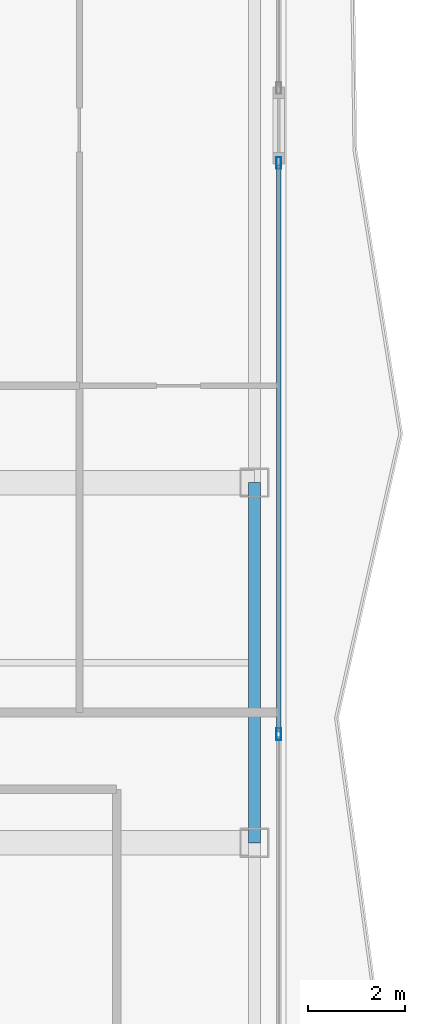
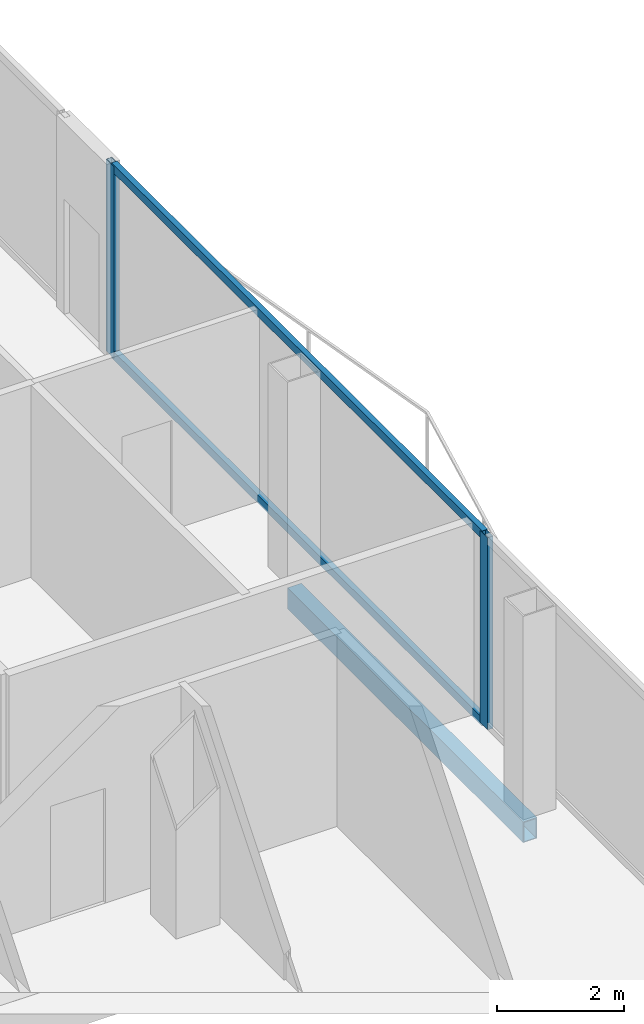
# One storey, part 11 of 26: 4 members, 1 beam, 1 element without a shape of its own.
"""IFC4 building model written with IfcOpenShell, lengths in metres."""

from ifc_helpers import new_model, si_unit, direction, frame, origin, origin_2d, place, context, subcontext, project, spatial, hollow_rectangle, extrude, material, layer, layer_set, material_profile, profile_set, type_object, element, aggregate, save


model = new_model("IFC4")

# Units and contexts
model_context = context("Model", 3, precision=1e-05, world=origin(), true_north=direction((0.0, 1.0)))
body_context = subcontext(model_context, "Body", "Model", "MODEL_VIEW")
ifc_project = project(units=[si_unit("LENGTHUNIT", "METRE"), si_unit("AREAUNIT", "SQUARE_METRE"), si_unit("VOLUMEUNIT", "CUBIC_METRE"), si_unit("PLANEANGLEUNIT", "RADIAN"), si_unit("MASSUNIT", "GRAM", prefix="KILO")], contexts=[model_context])

# Site, building, storey
site_placement = place(None, origin())
site = spatial("IfcSite", under=ifc_project, at=site_placement, CompositionType="ELEMENT")
building_placement = place(site_placement, origin())
building = spatial("IfcBuilding", under=site, at=building_placement, Name="Khorvyn Point Tower", CompositionType="ELEMENT")
storey_placement = place(building_placement, frame((0.0, 0.0, 219.60009765625)))
storey = spatial("IfcBuildingStorey", under=building, at=storey_placement, Name="L54", CompositionType="ELEMENT", Elevation=219.60009765625)

# Curtain wall, members
ifc_material_1 = material(Name="Anodised aluminium 6063-T6 and laminated Low-E glass", Category="aluminium")
ifc_layer = layer(ifc_material_1, 0.18994140625)
ifc_layer_set = layer_set([ifc_layer], Name="Stick-Built Acoustic Curtain Wall CW-SYS-03")
curtain_wall_type = type_object("IfcCurtainWallType", Name="Stick-Built Acoustic Curtain Wall CW-SYS-03", PredefinedType="NOTDEFINED", material=ifc_layer_set)
curtain_wall_placement = place(storey_placement, origin())
curtain_wall = element("IfcCurtainWall", 1, at=curtain_wall_placement, inside=storey, type_object=curtain_wall_type, Name="Curtain Wall", PredefinedType="NOTDEFINED")
ifc_material_2 = material(Name="Anodised aluminium 6063-T6", Category="aluminium")
ifc_material_profile_1 = material_profile(ifc_material_2, hollow_rectangle(XDim=0.10009765625, YDim=0.239990234375, WallThickness=0.0048828125, at=origin_2d()))
ifc_profile_set_1 = profile_set([ifc_material_profile_1], Name="Anodised aluminium 6063-T6 ALU-MUL-100x240")
member_type_1 = type_object("IfcMemberType", Name="Anodised Aluminium 6063-T6 Mullion ALU-MUL-100x240", PredefinedType="MULLION", material=ifc_profile_set_1)
member_1_placement = place(storey_placement, frame((26.14990234375, -0.8349609375, 0.0), z_axis=(0.0, 0.0, 1.0), x_axis=(1.0, 0.0, 0.0)))
member_1 = element("IfcMember", 2, at=member_1_placement, type_object=member_type_1, Name="Transom", PredefinedType="MULLION", context=body_context, shape_type="SweptSolid", body=[
    extrude(hollow_rectangle(XDim=0.10009765625, YDim=0.239990234375, WallThickness=0.0048828125, at=origin_2d()), origin(), (0.0, 0.0, 1.0), 3.679931640625),
])
member_2_placement = place(storey_placement, frame((26.14990234375, -12.5673828125, 0.0), z_axis=(0.0, 0.0, 1.0), x_axis=(1.0, 0.0, 0.0)))
member_2 = element("IfcMember", 3, at=member_2_placement, type_object=member_type_1, Name="Transom", PredefinedType="MULLION", context=body_context, shape_type="SweptSolid", body=[
    extrude(hollow_rectangle(XDim=0.10009765625, YDim=0.239990234375, WallThickness=0.0048828125, at=origin_2d()), origin(), (0.0, 0.0, 1.0), 3.679931640625),
])
ifc_material_profile_2 = material_profile(ifc_material_2, hollow_rectangle(XDim=0.10009765625, YDim=0.159912109375, WallThickness=0.00439453125, at=origin_2d()))
ifc_profile_set_2 = profile_set([ifc_material_profile_2], Name="Anodised aluminium 6063-T6 ALU-TRN-100x160")
member_type_2 = type_object("IfcMemberType", Name="Anodised Aluminium 6063-T6 Transom ALU-TRN-100x160", PredefinedType="USERDEFINED", material=ifc_profile_set_2)
member_3_placement = place(storey_placement, frame((26.14990234375, -0.885009765625, 0.0498046875), z_axis=(0.0, -1.0, 0.0), x_axis=(1.0, 0.0, 0.0)))
member_3 = element("IfcMember", 4, at=member_3_placement, type_object=member_type_2, Name="Transom", ObjectType="TRANSOM", PredefinedType="USERDEFINED", context=body_context, shape_type="SweptSolid", body=[
    extrude(hollow_rectangle(XDim=0.10009765625, YDim=0.159912109375, WallThickness=0.00439453125, at=origin_2d()), origin(), (0.0, 0.0, 1.0), 11.632568359375),
])
member_4_placement = place(storey_placement, frame((26.14990234375, -0.885009765625, 3.6298828125), z_axis=(0.0, -1.0, 0.0), x_axis=(1.0, 0.0, 0.0)))
member_4 = element("IfcMember", 5, at=member_4_placement, type_object=member_type_2, Name="Transom", ObjectType="TRANSOM", PredefinedType="USERDEFINED", context=body_context, shape_type="SweptSolid", body=[
    extrude(hollow_rectangle(XDim=0.10009765625, YDim=0.159912109375, WallThickness=0.00439453125, at=origin_2d()), origin(), (0.0, 0.0, 1.0), 11.632568359375),
])
aggregate(curtain_wall, [member_1, member_2, member_3, member_4])

# Beam
ifc_material_3 = material(Name="Steel S355", Category="steel")
ifc_material_profile_3 = material_profile(ifc_material_3, hollow_rectangle(XDim=0.25, YDim=0.39990234375, WallThickness=0.01611328125, at=origin_2d()))
ifc_profile_set_3 = profile_set([ifc_material_profile_3], Name="Steel S355 RHS400x250x16")
beam_type = type_object("IfcBeamType", Name="Steel S355 Spandrel RHS400x250x16", PredefinedType="SPANDREL", material=ifc_profile_set_3)
beam_placement = place(storey_placement, frame((25.64990234375, -14.800048828125, -0.47998046875), z_axis=(0.0, 1.0, 0.0), x_axis=(-1.0, 0.0, 0.0)))
element("IfcBeam", 6, at=beam_placement, inside=storey, type_object=beam_type, Name="Beam", PredefinedType="SPANDREL", context=body_context, shape_type="SweptSolid", body=[
    extrude(hollow_rectangle(XDim=0.25, YDim=0.39990234375, WallThickness=0.01611328125, at=origin_2d()), origin(), (0.0, 0.0, 1.0), 7.400146484375),
])

save(model, "model.ifc")
